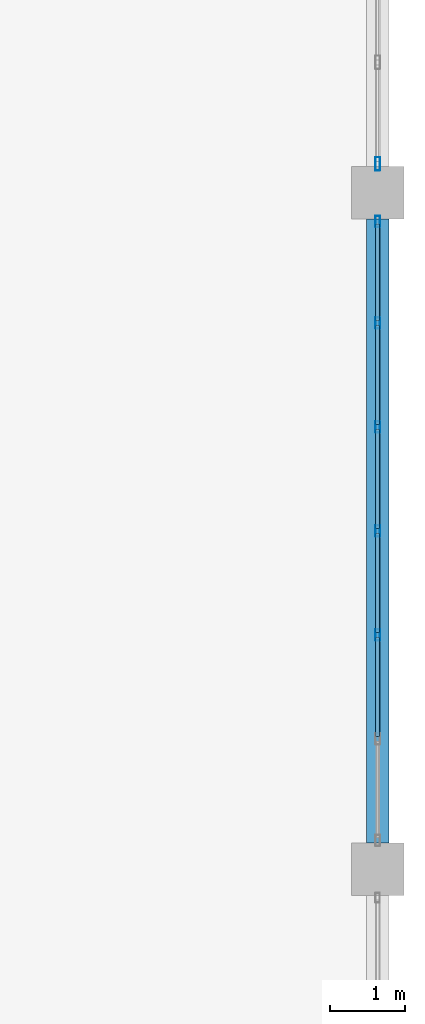
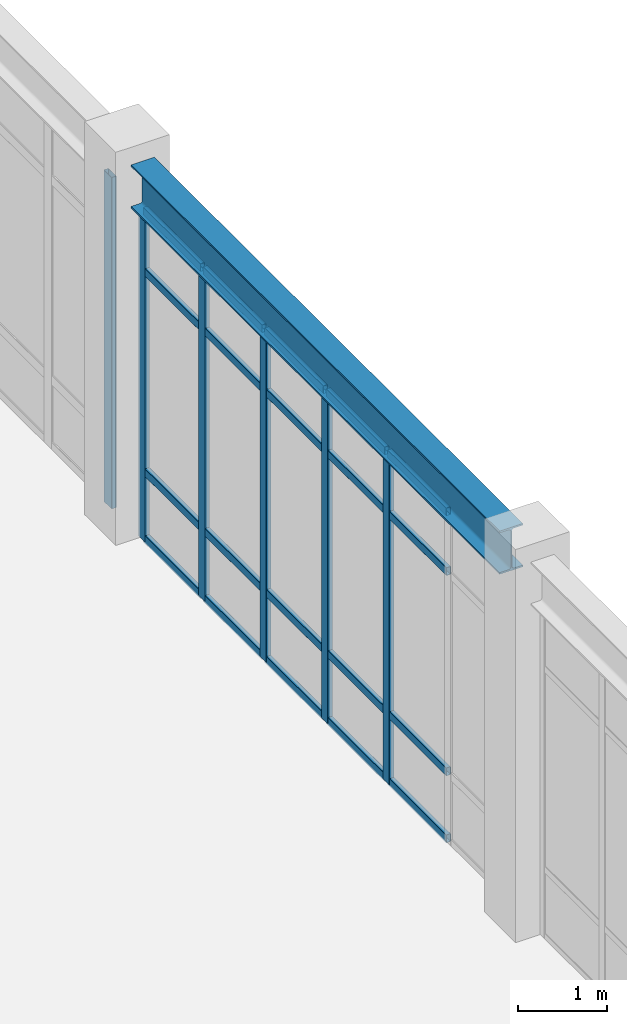
# One storey, part 31 of 80: 26 members, 1 beam, 2 elements without a shape of their own.
"""IFC4 building model written with IfcOpenShell, lengths in metres."""

from ifc_helpers import new_model, si_unit, direction, frame, origin, origin_2d, place, context, subcontext, project, spatial, hollow_rectangle, i_section, extrude, material, material_profile, profile_set, type_object, element, aggregate, save


model = new_model("IFC4")

# Units and contexts
model_context = context("Model", 3, precision=1e-05, world=origin(), true_north=direction((0.0, 1.0)))
body_context = subcontext(model_context, "Body", "Model", "MODEL_VIEW")
ifc_project = project(units=[si_unit("LENGTHUNIT", "METRE"), si_unit("AREAUNIT", "SQUARE_METRE"), si_unit("VOLUMEUNIT", "CUBIC_METRE"), si_unit("PLANEANGLEUNIT", "RADIAN"), si_unit("MASSUNIT", "GRAM", prefix="KILO")], contexts=[model_context])

# Site, building, storey
site_placement = place(None, origin())
site = spatial("IfcSite", under=ifc_project, at=site_placement, CompositionType="ELEMENT")
building_placement = place(site_placement, origin())
building = spatial("IfcBuilding", under=site, at=building_placement, Name="Canglan Escarpment Cableway Terminal", CompositionType="ELEMENT")
storey_placement = place(building_placement, frame((0.0, 0.0, 19.199951171875)))
storey = spatial("IfcBuildingStorey", under=building, at=storey_placement, Name="L04", CompositionType="ELEMENT", Elevation=19.199951171875)

# Beam
ifc_material_1 = material(Name="Steel Q355C", Category="steel")
ifc_material_profile_1 = material_profile(ifc_material_1, i_section(OverallWidth=0.302001953125, OverallDepth=0.593994140625, WebThickness=0.013916015625, FlangeThickness=0.02294921875, FilletRadius=0.028076171875, at=origin_2d()), Name="HM 594x302x14x23")
ifc_profile_set_1 = profile_set([ifc_material_profile_1], Name="Steel Q355C")
beam_type = type_object("IfcBeamType", Name="BM-HM594", PredefinedType="BEAM", material=ifc_profile_set_1)
beam_placement = place(storey_placement, frame((166.39990234375, 61.35009765625, 4.863037109375), z_axis=(0.0, 1.0, 0.0), x_axis=(-1.0, 0.0, 0.0)))
element("IfcBeam", 1, at=beam_placement, inside=storey, type_object=beam_type, Name="Primary transverse girder B-07", PredefinedType="BEAM", context=body_context, shape_type="SweptSolid", body=[
    extrude(i_section(OverallWidth=0.302001953125, OverallDepth=0.593994140625, WebThickness=0.013916015625, FlangeThickness=0.02294921875, FilletRadius=0.028076171875, at=origin_2d()), origin(), (0.0, 0.0, 1.0), 8.2998046875),
])

# Curtain wall, members
ifc_material_2 = material(Name="Anodized bronze aluminium and Low-E double glazing", Category="aluminium")
curtain_wall_type = type_object("IfcCurtainWallType", Name="CW-BAY-8300x4550", PredefinedType="NOTDEFINED", material=ifc_material_2)
curtain_wall_1_placement = place(storey_placement, origin())
curtain_wall_1 = element("IfcCurtainWall", 2, at=curtain_wall_1_placement, inside=storey, type_object=curtain_wall_type, Name="Classical bay-between-piers glazed curtain wall CW-64", PredefinedType="NOTDEFINED")
ifc_material_3 = material(Name="Thermally broken anodized aluminium 6063-T6", Category="aluminium")
ifc_material_profile_2 = material_profile(ifc_material_3, hollow_rectangle(XDim=0.06494140625, YDim=0.14990234375, WallThickness=0.00341796875, InnerFilletRadius=0.00341796875, OuterFilletRadius=0.007080078125, at=origin_2d()), Name="ALU-MULL 65x150x3.5")
ifc_profile_set_2 = profile_set([ifc_material_profile_2], Name="Thermally broken anodized aluminium 6063-T6")
member_type_1 = type_object("IfcMemberType", Name="CWM-02", PredefinedType="MULLION", material=ifc_profile_set_2)
member_1_placement = place(storey_placement, frame((166.39990234375, 64.11669921875, 0.0), z_axis=(0.0, 0.0, 1.0), x_axis=(-1.0, 0.0, 0.0)))
member_1 = element("IfcMember", 3, at=member_1_placement, type_object=member_type_1, Name="CW-64 mullion 3", PredefinedType="MULLION", context=body_context, shape_type="SweptSolid", body=[
    extrude(hollow_rectangle(XDim=0.06494140625, YDim=0.14990234375, WallThickness=0.00341796875, InnerFilletRadius=0.00341796875, OuterFilletRadius=0.007080078125, at=origin_2d()), origin(), (0.0, 0.0, 1.0), 4.551025390625),
])
member_2_placement = place(storey_placement, frame((166.39990234375, 65.5, 0.0), z_axis=(0.0, 0.0, 1.0), x_axis=(-1.0, 0.0, 0.0)))
member_2 = element("IfcMember", 4, at=member_2_placement, type_object=member_type_1, Name="CW-64 mullion 4", PredefinedType="MULLION", context=body_context, shape_type="SweptSolid", body=[
    extrude(hollow_rectangle(XDim=0.06494140625, YDim=0.14990234375, WallThickness=0.00341796875, InnerFilletRadius=0.00341796875, OuterFilletRadius=0.007080078125, at=origin_2d()), origin(), (0.0, 0.0, 1.0), 4.551025390625),
])
member_3_placement = place(storey_placement, frame((166.39990234375, 66.88330078125, 0.0), z_axis=(0.0, 0.0, 1.0), x_axis=(-1.0, 0.0, 0.0)))
member_3 = element("IfcMember", 5, at=member_3_placement, type_object=member_type_1, Name="CW-64 mullion 5", PredefinedType="MULLION", context=body_context, shape_type="SweptSolid", body=[
    extrude(hollow_rectangle(XDim=0.06494140625, YDim=0.14990234375, WallThickness=0.00341796875, InnerFilletRadius=0.00341796875, OuterFilletRadius=0.007080078125, at=origin_2d()), origin(), (0.0, 0.0, 1.0), 4.551025390625),
])
member_4_placement = place(storey_placement, frame((166.39990234375, 68.2666015625, 0.0), z_axis=(0.0, 0.0, 1.0), x_axis=(-1.0, 0.0, 0.0)))
member_4 = element("IfcMember", 6, at=member_4_placement, type_object=member_type_1, Name="CW-64 mullion 6", PredefinedType="MULLION", context=body_context, shape_type="SweptSolid", body=[
    extrude(hollow_rectangle(XDim=0.06494140625, YDim=0.14990234375, WallThickness=0.00341796875, InnerFilletRadius=0.00341796875, OuterFilletRadius=0.007080078125, at=origin_2d()), origin(), (0.0, 0.0, 1.0), 4.551025390625),
])
member_5_placement = place(storey_placement, frame((166.39990234375, 69.617431640625, 0.0), z_axis=(0.0, 0.0, 1.0), x_axis=(-1.0, 0.0, 0.0)))
member_5 = element("IfcMember", 7, at=member_5_placement, type_object=member_type_1, Name="CW-64 mullion 7", PredefinedType="MULLION", context=body_context, shape_type="SweptSolid", body=[
    extrude(hollow_rectangle(XDim=0.06494140625, YDim=0.14990234375, WallThickness=0.00341796875, InnerFilletRadius=0.00341796875, OuterFilletRadius=0.007080078125, at=origin_2d()), origin(), (0.0, 0.0, 1.0), 4.551025390625),
])

# Curtain wall, member
curtain_wall_2_placement = place(storey_placement, origin())
curtain_wall_2 = element("IfcCurtainWall", 8, at=curtain_wall_2_placement, inside=storey, type_object=curtain_wall_type, Name="Classical bay-between-piers glazed curtain wall CW-64", PredefinedType="NOTDEFINED")
ifc_material_profile_3 = material_profile(ifc_material_3, hollow_rectangle(XDim=0.06494140625, YDim=0.179931640625, WallThickness=0.00390625, InnerFilletRadius=0.00390625, OuterFilletRadius=0.008056640625, at=origin_2d()), Name="ALU-MULL 65x180x4")
ifc_profile_set_3 = profile_set([ifc_material_profile_3], Name="Thermally broken anodized aluminium 6063-T6")
member_type_2 = type_object("IfcMemberType", Name="CWM-03", PredefinedType="MULLION", material=ifc_profile_set_3)
member_6_placement = place(storey_placement, frame((166.39990234375, 70.382568359375, 0.0), z_axis=(0.0, 0.0, 1.0), x_axis=(-1.0, 0.0, 0.0)))
member_6 = element("IfcMember", 9, at=member_6_placement, type_object=member_type_2, Name="CW-64 mullion 1", PredefinedType="MULLION", context=body_context, shape_type="SweptSolid", body=[
    extrude(hollow_rectangle(XDim=0.06494140625, YDim=0.179931640625, WallThickness=0.00390625, InnerFilletRadius=0.00390625, OuterFilletRadius=0.008056640625, at=origin_2d()), origin(), (0.0, 0.0, 1.0), 4.551025390625),
])
aggregate(curtain_wall_2, [member_6])

# Member
ifc_material_profile_4 = material_profile(ifc_material_3, hollow_rectangle(XDim=0.06005859375, YDim=0.110107421875, WallThickness=0.0029296875, InnerFilletRadius=0.0029296875, OuterFilletRadius=0.006103515625, at=origin_2d()), Name="ALU-TRAN 60x110x3")
ifc_profile_set_4 = profile_set([ifc_material_profile_4], Name="Thermally broken anodized aluminium 6063-T6")
member_type_3 = type_object("IfcMemberType", Name="CWT-02", PredefinedType="USERDEFINED", material=ifc_profile_set_4)
member_7_placement = place(storey_placement, frame((166.39990234375, 62.765869140625, 0.030029296875), z_axis=(0.0, 1.0, 0.0), x_axis=(-1.0, 0.0, 0.0)))
member_7 = element("IfcMember", 10, at=member_7_placement, type_object=member_type_3, Name="CW-64 transom 2.1", ObjectType="TRANSOM", PredefinedType="USERDEFINED", context=body_context, shape_type="SweptSolid", body=[
    extrude(hollow_rectangle(XDim=0.06005859375, YDim=0.110107421875, WallThickness=0.0029296875, InnerFilletRadius=0.0029296875, OuterFilletRadius=0.006103515625, at=origin_2d()), origin(), (0.0, 0.0, 1.0), 1.318359375),
])

member_8_placement = place(storey_placement, frame((166.39990234375, 62.765869140625, 0.949951171875), z_axis=(0.0, 1.0, 0.0), x_axis=(-1.0, 0.0, 0.0)))
member_8 = element("IfcMember", 11, at=member_8_placement, type_object=member_type_3, Name="CW-64 transom 2.2", ObjectType="TRANSOM", PredefinedType="USERDEFINED", context=body_context, shape_type="SweptSolid", body=[
    extrude(hollow_rectangle(XDim=0.06005859375, YDim=0.110107421875, WallThickness=0.0029296875, InnerFilletRadius=0.0029296875, OuterFilletRadius=0.006103515625, at=origin_2d()), origin(), (0.0, 0.0, 1.0), 1.318359375),
])

member_9_placement = place(storey_placement, frame((166.39990234375, 62.765869140625, 3.700927734375), z_axis=(0.0, 1.0, 0.0), x_axis=(-1.0, 0.0, 0.0)))
member_9 = element("IfcMember", 12, at=member_9_placement, type_object=member_type_3, Name="CW-64 transom 2.3", ObjectType="TRANSOM", PredefinedType="USERDEFINED", context=body_context, shape_type="SweptSolid", body=[
    extrude(hollow_rectangle(XDim=0.06005859375, YDim=0.110107421875, WallThickness=0.0029296875, InnerFilletRadius=0.0029296875, OuterFilletRadius=0.006103515625, at=origin_2d()), origin(), (0.0, 0.0, 1.0), 1.318359375),
])

member_10_placement = place(storey_placement, frame((166.39990234375, 62.765869140625, 4.52099609375), z_axis=(0.0, 1.0, 0.0), x_axis=(-1.0, 0.0, 0.0)))
member_10 = element("IfcMember", 13, at=member_10_placement, type_object=member_type_3, Name="CW-64 transom 2.4", ObjectType="TRANSOM", PredefinedType="USERDEFINED", context=body_context, shape_type="SweptSolid", body=[
    extrude(hollow_rectangle(XDim=0.06005859375, YDim=0.110107421875, WallThickness=0.0029296875, InnerFilletRadius=0.0029296875, OuterFilletRadius=0.006103515625, at=origin_2d()), origin(), (0.0, 0.0, 1.0), 1.318359375),
])

member_11_placement = place(storey_placement, frame((166.39990234375, 64.149169921875, 0.030029296875), z_axis=(0.0, 1.0, 0.0), x_axis=(-1.0, 0.0, 0.0)))
member_11 = element("IfcMember", 14, at=member_11_placement, type_object=member_type_3, Name="CW-64 transom 3.1", ObjectType="TRANSOM", PredefinedType="USERDEFINED", context=body_context, shape_type="SweptSolid", body=[
    extrude(hollow_rectangle(XDim=0.06005859375, YDim=0.110107421875, WallThickness=0.0029296875, InnerFilletRadius=0.0029296875, OuterFilletRadius=0.006103515625, at=origin_2d()), origin(), (0.0, 0.0, 1.0), 1.318359375),
])

member_12_placement = place(storey_placement, frame((166.39990234375, 64.149169921875, 0.949951171875), z_axis=(0.0, 1.0, 0.0), x_axis=(-1.0, 0.0, 0.0)))
member_12 = element("IfcMember", 15, at=member_12_placement, type_object=member_type_3, Name="CW-64 transom 3.2", ObjectType="TRANSOM", PredefinedType="USERDEFINED", context=body_context, shape_type="SweptSolid", body=[
    extrude(hollow_rectangle(XDim=0.06005859375, YDim=0.110107421875, WallThickness=0.0029296875, InnerFilletRadius=0.0029296875, OuterFilletRadius=0.006103515625, at=origin_2d()), origin(), (0.0, 0.0, 1.0), 1.318359375),
])

member_13_placement = place(storey_placement, frame((166.39990234375, 64.149169921875, 3.700927734375), z_axis=(0.0, 1.0, 0.0), x_axis=(-1.0, 0.0, 0.0)))
member_13 = element("IfcMember", 16, at=member_13_placement, type_object=member_type_3, Name="CW-64 transom 3.3", ObjectType="TRANSOM", PredefinedType="USERDEFINED", context=body_context, shape_type="SweptSolid", body=[
    extrude(hollow_rectangle(XDim=0.06005859375, YDim=0.110107421875, WallThickness=0.0029296875, InnerFilletRadius=0.0029296875, OuterFilletRadius=0.006103515625, at=origin_2d()), origin(), (0.0, 0.0, 1.0), 1.318359375),
])

member_14_placement = place(storey_placement, frame((166.39990234375, 64.149169921875, 4.52099609375), z_axis=(0.0, 1.0, 0.0), x_axis=(-1.0, 0.0, 0.0)))
member_14 = element("IfcMember", 17, at=member_14_placement, type_object=member_type_3, Name="CW-64 transom 3.4", ObjectType="TRANSOM", PredefinedType="USERDEFINED", context=body_context, shape_type="SweptSolid", body=[
    extrude(hollow_rectangle(XDim=0.06005859375, YDim=0.110107421875, WallThickness=0.0029296875, InnerFilletRadius=0.0029296875, OuterFilletRadius=0.006103515625, at=origin_2d()), origin(), (0.0, 0.0, 1.0), 1.318359375),
])

member_15_placement = place(storey_placement, frame((166.39990234375, 65.532470703125, 0.030029296875), z_axis=(0.0, 1.0, 0.0), x_axis=(-1.0, 0.0, 0.0)))
member_15 = element("IfcMember", 18, at=member_15_placement, type_object=member_type_3, Name="CW-64 transom 4.1", ObjectType="TRANSOM", PredefinedType="USERDEFINED", context=body_context, shape_type="SweptSolid", body=[
    extrude(hollow_rectangle(XDim=0.06005859375, YDim=0.110107421875, WallThickness=0.0029296875, InnerFilletRadius=0.0029296875, OuterFilletRadius=0.006103515625, at=origin_2d()), origin(), (0.0, 0.0, 1.0), 1.318359375),
])

member_16_placement = place(storey_placement, frame((166.39990234375, 65.532470703125, 0.949951171875), z_axis=(0.0, 1.0, 0.0), x_axis=(-1.0, 0.0, 0.0)))
member_16 = element("IfcMember", 19, at=member_16_placement, type_object=member_type_3, Name="CW-64 transom 4.2", ObjectType="TRANSOM", PredefinedType="USERDEFINED", context=body_context, shape_type="SweptSolid", body=[
    extrude(hollow_rectangle(XDim=0.06005859375, YDim=0.110107421875, WallThickness=0.0029296875, InnerFilletRadius=0.0029296875, OuterFilletRadius=0.006103515625, at=origin_2d()), origin(), (0.0, 0.0, 1.0), 1.318359375),
])

member_17_placement = place(storey_placement, frame((166.39990234375, 65.532470703125, 3.700927734375), z_axis=(0.0, 1.0, 0.0), x_axis=(-1.0, 0.0, 0.0)))
member_17 = element("IfcMember", 20, at=member_17_placement, type_object=member_type_3, Name="CW-64 transom 4.3", ObjectType="TRANSOM", PredefinedType="USERDEFINED", context=body_context, shape_type="SweptSolid", body=[
    extrude(hollow_rectangle(XDim=0.06005859375, YDim=0.110107421875, WallThickness=0.0029296875, InnerFilletRadius=0.0029296875, OuterFilletRadius=0.006103515625, at=origin_2d()), origin(), (0.0, 0.0, 1.0), 1.318359375),
])

member_18_placement = place(storey_placement, frame((166.39990234375, 65.532470703125, 4.52099609375), z_axis=(0.0, 1.0, 0.0), x_axis=(-1.0, 0.0, 0.0)))
member_18 = element("IfcMember", 21, at=member_18_placement, type_object=member_type_3, Name="CW-64 transom 4.4", ObjectType="TRANSOM", PredefinedType="USERDEFINED", context=body_context, shape_type="SweptSolid", body=[
    extrude(hollow_rectangle(XDim=0.06005859375, YDim=0.110107421875, WallThickness=0.0029296875, InnerFilletRadius=0.0029296875, OuterFilletRadius=0.006103515625, at=origin_2d()), origin(), (0.0, 0.0, 1.0), 1.318359375),
])

member_19_placement = place(storey_placement, frame((166.39990234375, 66.915771484375, 0.030029296875), z_axis=(0.0, 1.0, 0.0), x_axis=(-1.0, 0.0, 0.0)))
member_19 = element("IfcMember", 22, at=member_19_placement, type_object=member_type_3, Name="CW-64 transom 5.1", ObjectType="TRANSOM", PredefinedType="USERDEFINED", context=body_context, shape_type="SweptSolid", body=[
    extrude(hollow_rectangle(XDim=0.06005859375, YDim=0.110107421875, WallThickness=0.0029296875, InnerFilletRadius=0.0029296875, OuterFilletRadius=0.006103515625, at=origin_2d()), origin(), (0.0, 0.0, 1.0), 1.318359375),
])

member_20_placement = place(storey_placement, frame((166.39990234375, 66.915771484375, 0.949951171875), z_axis=(0.0, 1.0, 0.0), x_axis=(-1.0, 0.0, 0.0)))
member_20 = element("IfcMember", 23, at=member_20_placement, type_object=member_type_3, Name="CW-64 transom 5.2", ObjectType="TRANSOM", PredefinedType="USERDEFINED", context=body_context, shape_type="SweptSolid", body=[
    extrude(hollow_rectangle(XDim=0.06005859375, YDim=0.110107421875, WallThickness=0.0029296875, InnerFilletRadius=0.0029296875, OuterFilletRadius=0.006103515625, at=origin_2d()), origin(), (0.0, 0.0, 1.0), 1.318359375),
])

member_21_placement = place(storey_placement, frame((166.39990234375, 66.915771484375, 3.700927734375), z_axis=(0.0, 1.0, 0.0), x_axis=(-1.0, 0.0, 0.0)))
member_21 = element("IfcMember", 24, at=member_21_placement, type_object=member_type_3, Name="CW-64 transom 5.3", ObjectType="TRANSOM", PredefinedType="USERDEFINED", context=body_context, shape_type="SweptSolid", body=[
    extrude(hollow_rectangle(XDim=0.06005859375, YDim=0.110107421875, WallThickness=0.0029296875, InnerFilletRadius=0.0029296875, OuterFilletRadius=0.006103515625, at=origin_2d()), origin(), (0.0, 0.0, 1.0), 1.318359375),
])

member_22_placement = place(storey_placement, frame((166.39990234375, 66.915771484375, 4.52099609375), z_axis=(0.0, 1.0, 0.0), x_axis=(-1.0, 0.0, 0.0)))
member_22 = element("IfcMember", 25, at=member_22_placement, type_object=member_type_3, Name="CW-64 transom 5.4", ObjectType="TRANSOM", PredefinedType="USERDEFINED", context=body_context, shape_type="SweptSolid", body=[
    extrude(hollow_rectangle(XDim=0.06005859375, YDim=0.110107421875, WallThickness=0.0029296875, InnerFilletRadius=0.0029296875, OuterFilletRadius=0.006103515625, at=origin_2d()), origin(), (0.0, 0.0, 1.0), 1.318359375),
])

member_23_placement = place(storey_placement, frame((166.39990234375, 68.299072265625, 0.030029296875), z_axis=(0.0, 1.0, 0.0), x_axis=(-1.0, 0.0, 0.0)))
member_23 = element("IfcMember", 26, at=member_23_placement, type_object=member_type_3, Name="CW-64 transom 6.1", ObjectType="TRANSOM", PredefinedType="USERDEFINED", context=body_context, shape_type="SweptSolid", body=[
    extrude(hollow_rectangle(XDim=0.06005859375, YDim=0.110107421875, WallThickness=0.0029296875, InnerFilletRadius=0.0029296875, OuterFilletRadius=0.006103515625, at=origin_2d()), origin(), (0.0, 0.0, 1.0), 1.285888671875),
])

member_24_placement = place(storey_placement, frame((166.39990234375, 68.299072265625, 0.949951171875), z_axis=(0.0, 1.0, 0.0), x_axis=(-1.0, 0.0, 0.0)))
member_24 = element("IfcMember", 27, at=member_24_placement, type_object=member_type_3, Name="CW-64 transom 6.2", ObjectType="TRANSOM", PredefinedType="USERDEFINED", context=body_context, shape_type="SweptSolid", body=[
    extrude(hollow_rectangle(XDim=0.06005859375, YDim=0.110107421875, WallThickness=0.0029296875, InnerFilletRadius=0.0029296875, OuterFilletRadius=0.006103515625, at=origin_2d()), origin(), (0.0, 0.0, 1.0), 1.285888671875),
])

member_25_placement = place(storey_placement, frame((166.39990234375, 68.299072265625, 3.700927734375), z_axis=(0.0, 1.0, 0.0), x_axis=(-1.0, 0.0, 0.0)))
member_25 = element("IfcMember", 28, at=member_25_placement, type_object=member_type_3, Name="CW-64 transom 6.3", ObjectType="TRANSOM", PredefinedType="USERDEFINED", context=body_context, shape_type="SweptSolid", body=[
    extrude(hollow_rectangle(XDim=0.06005859375, YDim=0.110107421875, WallThickness=0.0029296875, InnerFilletRadius=0.0029296875, OuterFilletRadius=0.006103515625, at=origin_2d()), origin(), (0.0, 0.0, 1.0), 1.285888671875),
])

member_26_placement = place(storey_placement, frame((166.39990234375, 68.299072265625, 4.52099609375), z_axis=(0.0, 1.0, 0.0), x_axis=(-1.0, 0.0, 0.0)))
member_26 = element("IfcMember", 29, at=member_26_placement, type_object=member_type_3, Name="CW-64 transom 6.4", ObjectType="TRANSOM", PredefinedType="USERDEFINED", context=body_context, shape_type="SweptSolid", body=[
    extrude(hollow_rectangle(XDim=0.06005859375, YDim=0.110107421875, WallThickness=0.0029296875, InnerFilletRadius=0.0029296875, OuterFilletRadius=0.006103515625, at=origin_2d()), origin(), (0.0, 0.0, 1.0), 1.285888671875),
])

aggregate(curtain_wall_1, [member_1, member_2, member_3, member_4, member_5, member_7, member_8, member_9, member_10, member_11, member_12, member_13, member_14, member_15, member_16, member_17, member_18, member_19, member_20, member_21, member_22, member_23, member_24, member_25, member_26])

save(model, "model.ifc")
